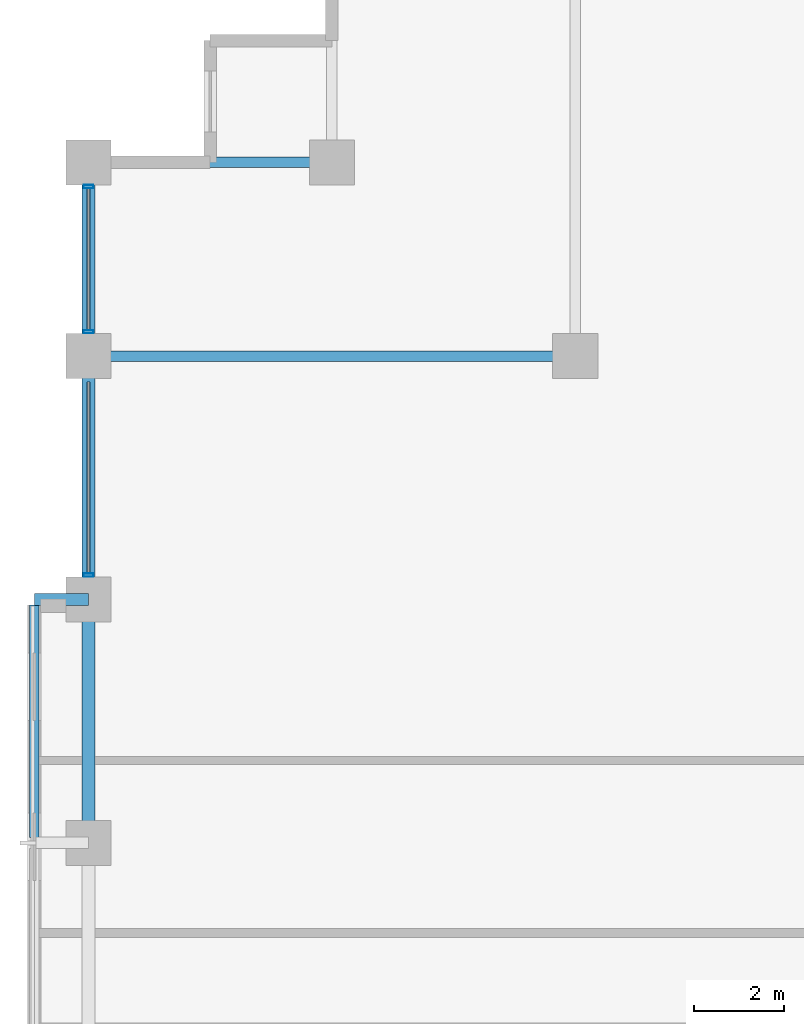
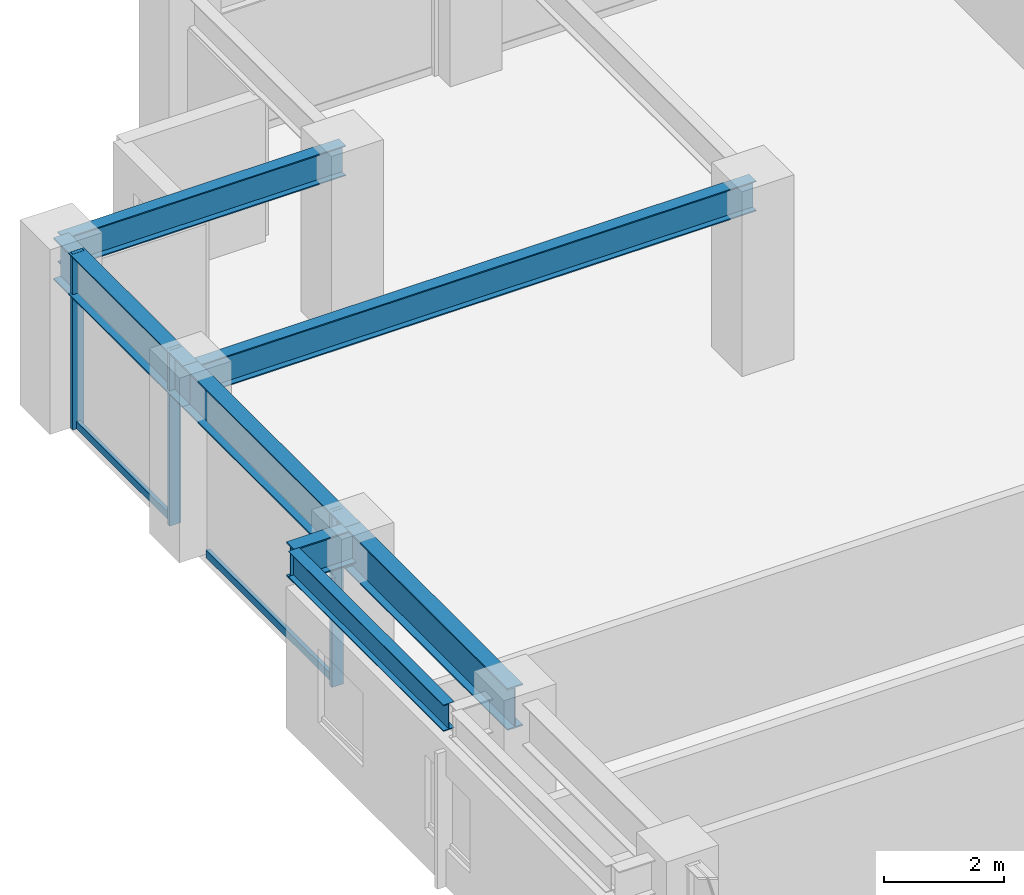
# One storey, part 10 of 25: 7 beams, 5 members, 1 element without a shape of its own.
"""IFC4 building model written with IfcOpenShell, lengths in metres."""

from ifc_helpers import new_model, si_unit, direction, frame, origin, origin_2d, place, context, subcontext, project, spatial, hollow_rectangle, i_section, extrude, material, layer, layer_set, material_profile, profile_set, type_object, element, aggregate, save


model = new_model("IFC4")

# Units and contexts
model_context = context("Model", 3, precision=1e-05, world=origin(), true_north=direction((0.0, 1.0)))
body_context = subcontext(model_context, "Body", "Model", "MODEL_VIEW")
ifc_project = project(units=[si_unit("LENGTHUNIT", "METRE"), si_unit("AREAUNIT", "SQUARE_METRE"), si_unit("VOLUMEUNIT", "CUBIC_METRE"), si_unit("PLANEANGLEUNIT", "RADIAN"), si_unit("MASSUNIT", "GRAM", prefix="KILO")], contexts=[model_context])

# Site, building, storey
site_placement = place(None, origin())
site = spatial("IfcSite", under=ifc_project, at=site_placement, CompositionType="ELEMENT")
building_placement = place(site_placement, origin())
building = spatial("IfcBuilding", under=site, at=building_placement, Name="Surkhivell Harbour Commons", CompositionType="ELEMENT")
storey_placement = place(building_placement, frame((0.0, 0.0, 139.5)))
storey = spatial("IfcBuildingStorey", under=building, at=storey_placement, Name="L36", CompositionType="ELEMENT", Elevation=139.5)

# Beams
ifc_material_1 = material(Name="Steel S460", Category="steel")
ifc_material_profile_1 = material_profile(ifc_material_1, i_section(OverallWidth=0.256103515625, OverallDepth=0.693115234375, WebThickness=0.014404296875, FlangeThickness=0.023681640625, at=origin_2d()), Name="UB686x254x170")
ifc_profile_set_1 = profile_set([ifc_material_profile_1], Name="Steel S460")
beam_type_1 = type_object("IfcBeamType", Name="BM-CNT-686", PredefinedType="BEAM", material=ifc_profile_set_1)
beam_1_placement = place(storey_placement, frame((-32.39990234375, 10.800048828125, 3.223388671875), z_axis=(-1.0, 0.0, 0.0), x_axis=(0.0, -1.0, 0.0)))
element("IfcBeam", 1, at=beam_1_placement, inside=storey, type_object=beam_type_1, Name="L36 Box Cantilever Outrigger (-32.4,10.8)", PredefinedType="BEAM", context=body_context, shape_type="SweptSolid", body=[
    extrude(i_section(OverallWidth=0.256103515625, OverallDepth=0.693115234375, WebThickness=0.014404296875, FlangeThickness=0.023681640625, at=origin_2d()), origin(), (0.0, 0.0, 1.0), 1.2001953125),
])
ifc_material_2 = material(Name="Steel S355", Category="steel")
ifc_material_profile_2 = material_profile(ifc_material_2, i_section(OverallWidth=0.2099609375, OverallDepth=0.537109375, WebThickness=0.0107421875, FlangeThickness=0.017333984375, at=origin_2d()), Name="UB533x210x101")
ifc_profile_set_2 = profile_set([ifc_material_profile_2], Name="Steel S355")
beam_type_2 = type_object("IfcBeamType", Name="BM-GRD-533B", PredefinedType="BEAM", material=ifc_profile_set_2)
beam_2_placement = place(storey_placement, frame((-33.60009765625, 5.52197265625, 3.301513671875), z_axis=(0.0, 1.0, 0.0), x_axis=(-1.0, 0.0, 0.0)))
element("IfcBeam", 2, at=beam_2_placement, inside=storey, type_object=beam_type_2, Name="L36 Box Rim Spandrel (-33.6,5.4)", PredefinedType="BEAM", context=body_context, shape_type="SweptSolid", body=[
    extrude(i_section(OverallWidth=0.2099609375, OverallDepth=0.537109375, WebThickness=0.0107421875, FlangeThickness=0.017333984375, at=origin_2d()), origin(), (0.0, 0.0, 1.0), 5.156005859375),
])
ifc_material_profile_3 = material_profile(ifc_material_2, i_section(OverallWidth=0.22998046875, OverallDepth=0.616943359375, WebThickness=0.01318359375, FlangeThickness=0.022216796875, at=origin_2d()), Name="UB610x229x140")
ifc_profile_set_3 = profile_set([ifc_material_profile_3], Name="Steel S355")
beam_type_3 = type_object("IfcBeamType", Name="BM-GRD-610B", PredefinedType="BEAM", material=ifc_profile_set_3)
beam_3_placement = place(storey_placement, frame((-32.39990234375, 16.199951171875, 3.261474609375), z_axis=(1.0, 0.0, 0.0), x_axis=(0.0, 1.0, 0.0)))
element("IfcBeam", 3, at=beam_3_placement, inside=storey, type_object=beam_type_3, Name="L36 Floor Girder (-32.4,16.2)", PredefinedType="BEAM", context=body_context, shape_type="SweptSolid", body=[
    extrude(i_section(OverallWidth=0.22998046875, OverallDepth=0.616943359375, WebThickness=0.01318359375, FlangeThickness=0.022216796875, at=origin_2d()), origin(), (0.0, 0.0, 1.0), 10.7998046875),
])
beam_4_placement = place(storey_placement, frame((-32.39990234375, 20.5, 3.261474609375), z_axis=(1.0, 0.0, 0.0), x_axis=(0.0, 1.0, 0.0)))
element("IfcBeam", 4, at=beam_4_placement, inside=storey, type_object=beam_type_3, Name="L36 Floor Girder (-32.4,20.5)", PredefinedType="BEAM", context=body_context, shape_type="SweptSolid", body=[
    extrude(i_section(OverallWidth=0.22998046875, OverallDepth=0.616943359375, WebThickness=0.01318359375, FlangeThickness=0.022216796875, at=origin_2d()), origin(), (0.0, 0.0, 1.0), 5.39990234375),
])
ifc_material_profile_4 = material_profile(ifc_material_1, i_section(OverallWidth=0.2939453125, OverallDepth=0.85107421875, WebThickness=0.01611328125, FlangeThickness=0.02685546875, at=origin_2d()), Name="UB838x292x226")
ifc_profile_set_4 = profile_set([ifc_material_profile_4], Name="Steel S460")
beam_type_4 = type_object("IfcBeamType", Name="BM-SPN-838", PredefinedType="SPANDREL", material=ifc_profile_set_4)
beam_5_placement = place(storey_placement, frame((-32.39990234375, 5.39990234375, 3.14453125), z_axis=(0.0, 1.0, 0.0), x_axis=(-1.0, 0.0, 0.0)))
element("IfcBeam", 5, at=beam_5_placement, inside=storey, type_object=beam_type_4, Name="L36 Tube Spandrel (-32.4,5.4)", PredefinedType="SPANDREL", context=body_context, shape_type="SweptSolid", body=[
    extrude(i_section(OverallWidth=0.2939453125, OverallDepth=0.85107421875, WebThickness=0.01611328125, FlangeThickness=0.02685546875, at=origin_2d()), origin(), (0.0, 0.0, 1.0), 5.400146484375),
])
beam_6_placement = place(storey_placement, frame((-32.39990234375, 10.800048828125, 3.14453125), z_axis=(0.0, 1.0, 0.0), x_axis=(-1.0, 0.0, 0.0)))
element("IfcBeam", 6, at=beam_6_placement, inside=storey, type_object=beam_type_4, Name="L36 Tube Spandrel (-32.4,10.8)", PredefinedType="SPANDREL", context=body_context, shape_type="SweptSolid", body=[
    extrude(i_section(OverallWidth=0.2939453125, OverallDepth=0.85107421875, WebThickness=0.01611328125, FlangeThickness=0.02685546875, at=origin_2d()), origin(), (0.0, 0.0, 1.0), 5.39990234375),
])
beam_7_placement = place(storey_placement, frame((-32.39990234375, 16.199951171875, 3.14453125), z_axis=(0.0, 1.0, 0.0), x_axis=(-1.0, 0.0, 0.0)))
element("IfcBeam", 7, at=beam_7_placement, inside=storey, type_object=beam_type_4, Name="L36 Tube Spandrel (-32.4,16.2)", PredefinedType="SPANDREL", context=body_context, shape_type="SweptSolid", body=[
    extrude(i_section(OverallWidth=0.2939453125, OverallDepth=0.85107421875, WebThickness=0.01611328125, FlangeThickness=0.02685546875, at=origin_2d()), origin(), (0.0, 0.0, 1.0), 4.300048828125),
])

# Curtain wall, members
ifc_material_3 = material(Name="Anodised pale-metal aluminium and insulated glazing", Category="aluminium")
ifc_layer = layer(ifc_material_3, 0.205078125)
ifc_layer_set = layer_set([ifc_layer], Name="Anodised pale-metal aluminium and insulated glazing")
curtain_wall_type = type_object("IfcCurtainWallType", Name="CW-SYS-Z2", PredefinedType="NOTDEFINED", material=ifc_layer_set)
curtain_wall_placement = place(storey_placement, origin())
curtain_wall = element("IfcCurtainWall", 8, at=curtain_wall_placement, inside=storey, type_object=curtain_wall_type, Name="L36 Curtain Wall CW-L36-E12R2", PredefinedType="NOTDEFINED")
ifc_material_4 = material(Name="Anodised pale-metal aluminium alloy 6063-T6", Category="aluminium")
ifc_material_profile_5 = material_profile(ifc_material_4, hollow_rectangle(XDim=0.074951171875, YDim=0.219970703125, WallThickness=0.00390625, at=origin_2d()), Name="ALU-MULL-75x220")
ifc_profile_set_5 = profile_set([ifc_material_profile_5], Name="Anodised pale-metal aluminium alloy 6063-T6")
member_type_1 = type_object("IfcMemberType", Name="CWM-220", PredefinedType="MULLION", material=ifc_profile_set_5)
member_1_placement = place(storey_placement, frame((-32.39990234375, 11.339599609375, 0.0), z_axis=(0.0, 0.0, 1.0), x_axis=(0.0, 1.0, 0.0)))
member_1 = element("IfcMember", 9, at=member_1_placement, type_object=member_type_1, Name="CW-Z2 mullion 1", PredefinedType="MULLION", context=body_context, shape_type="SweptSolid", body=[
    extrude(hollow_rectangle(XDim=0.074951171875, YDim=0.219970703125, WallThickness=0.00390625, at=origin_2d()), origin(), (0.0, 0.0, 1.0), 3.570068359375),
])
member_2_placement = place(storey_placement, frame((-32.39990234375, 16.739501953125, 0.0), z_axis=(0.0, 0.0, 1.0), x_axis=(0.0, 1.0, 0.0)))
member_2 = element("IfcMember", 10, at=member_2_placement, type_object=member_type_1, Name="CW-Z2 mullion 2", PredefinedType="MULLION", context=body_context, shape_type="SweptSolid", body=[
    extrude(hollow_rectangle(XDim=0.074951171875, YDim=0.219970703125, WallThickness=0.00390625, at=origin_2d()), origin(), (0.0, 0.0, 1.0), 3.570068359375),
])
member_3_placement = place(storey_placement, frame((-32.39990234375, 19.96044921875, 0.0), z_axis=(0.0, 0.0, 1.0), x_axis=(0.0, 1.0, 0.0)))
member_3 = element("IfcMember", 11, at=member_3_placement, type_object=member_type_1, Name="CW-Z2 mullion 3", PredefinedType="MULLION", context=body_context, shape_type="SweptSolid", body=[
    extrude(hollow_rectangle(XDim=0.074951171875, YDim=0.219970703125, WallThickness=0.00390625, at=origin_2d()), origin(), (0.0, 0.0, 1.0), 3.570068359375),
])
ifc_material_profile_6 = material_profile(ifc_material_4, hollow_rectangle(XDim=0.074951171875, YDim=0.14990234375, WallThickness=0.00341796875, at=origin_2d()), Name="ALU-TRAN-75x150")
ifc_profile_set_6 = profile_set([ifc_material_profile_6], Name="Anodised pale-metal aluminium alloy 6063-T6")
member_type_2 = type_object("IfcMemberType", Name="CWT-150", PredefinedType="USERDEFINED", material=ifc_profile_set_6)
member_4_placement = place(storey_placement, frame((-32.39990234375, 11.376953125, 0.074951171875), z_axis=(0.0, 1.0, 0.0), x_axis=(-1.0, 0.0, 0.0)))
member_4 = element("IfcMember", 12, at=member_4_placement, type_object=member_type_2, Name="CW-Z2 transom 1.1", ObjectType="TRANSOM", PredefinedType="USERDEFINED", context=body_context, shape_type="SweptSolid", body=[
    extrude(hollow_rectangle(XDim=0.074951171875, YDim=0.14990234375, WallThickness=0.00341796875, at=origin_2d()), origin(), (0.0, 0.0, 1.0), 4.24609375),
])
member_5_placement = place(storey_placement, frame((-32.39990234375, 16.777099609375, 0.074951171875), z_axis=(0.0, 1.0, 0.0), x_axis=(-1.0, 0.0, 0.0)))
member_5 = element("IfcMember", 13, at=member_5_placement, type_object=member_type_2, Name="CW-Z2 transom 2.1", ObjectType="TRANSOM", PredefinedType="USERDEFINED", context=body_context, shape_type="SweptSolid", body=[
    extrude(hollow_rectangle(XDim=0.074951171875, YDim=0.14990234375, WallThickness=0.00341796875, at=origin_2d()), origin(), (0.0, 0.0, 1.0), 3.14599609375),
])
aggregate(curtain_wall, [member_1, member_4, member_2, member_3, member_5])

save(model, "model.ifc")
